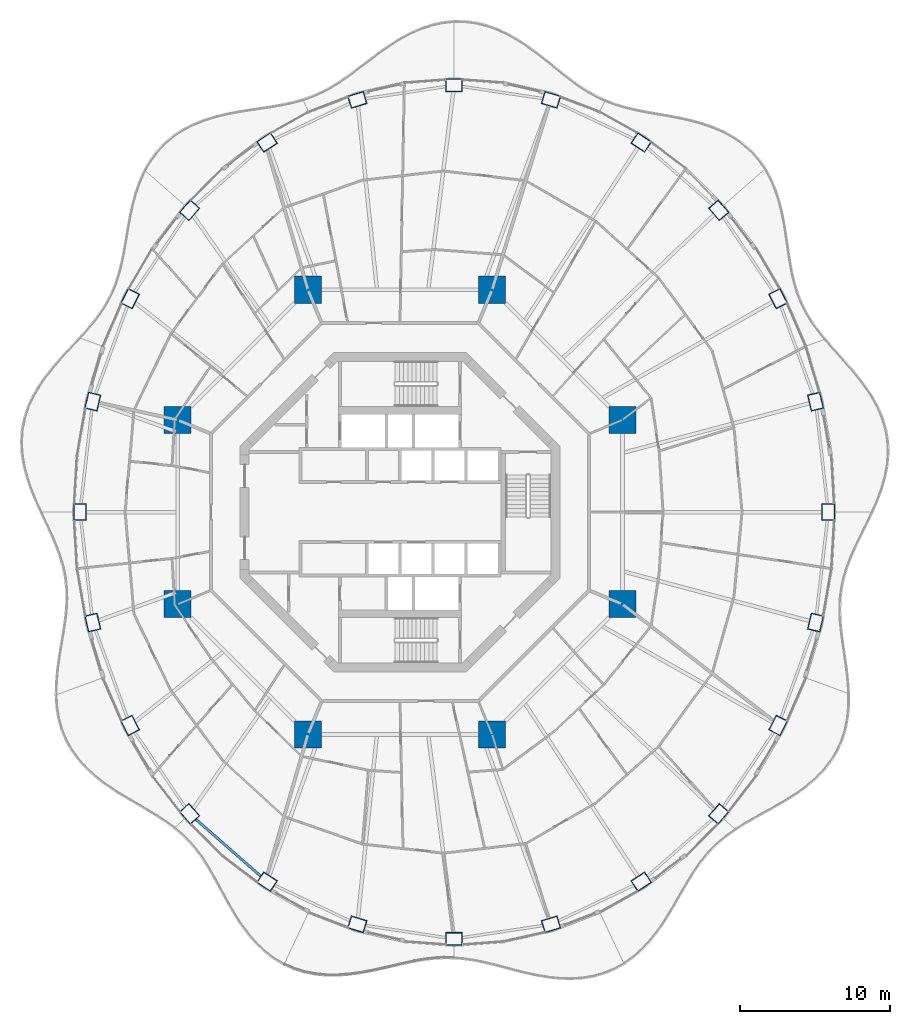
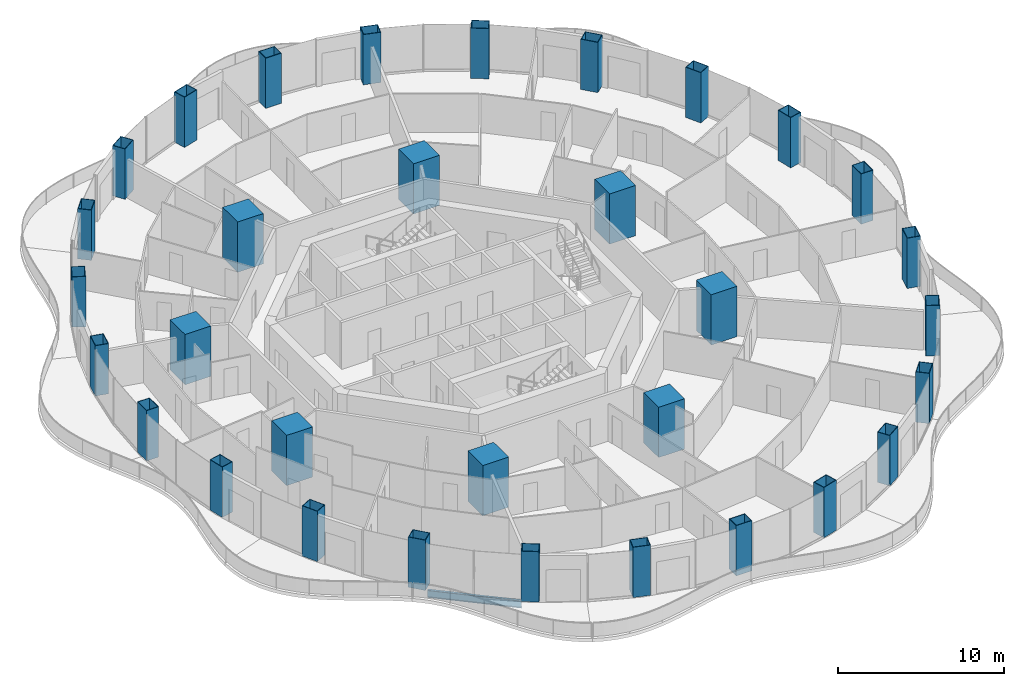
# One storey, part 1 of 19: 32 columns, 1 beam.
"""IFC4 building model written with IfcOpenShell, lengths in metres."""

from ifc_helpers import new_model, si_unit, direction, frame, origin, origin_2d, place, context, subcontext, project, spatial, rectangle, hollow_rectangle, i_section, extrude, material, material_profile, profile_set, type_object, element, save


model = new_model("IFC4")

# Units and contexts
model_context = context("Model", 3, precision=1e-05, world=origin(), true_north=direction((0.0, 1.0)))
body_context = subcontext(model_context, "Body", "Model", "MODEL_VIEW")
ifc_project = project(units=[si_unit("LENGTHUNIT", "METRE"), si_unit("AREAUNIT", "SQUARE_METRE"), si_unit("VOLUMEUNIT", "CUBIC_METRE"), si_unit("PLANEANGLEUNIT", "RADIAN"), si_unit("MASSUNIT", "GRAM", prefix="KILO")], contexts=[model_context])

# Site, building, storey
site_placement = place(None, origin())
site = spatial("IfcSite", under=ifc_project, at=site_placement, CompositionType="ELEMENT")
building_placement = place(site_placement, origin())
building = spatial("IfcBuilding", under=site, at=building_placement, Name="Nagisa Residences", CompositionType="ELEMENT")
storey_placement = place(building_placement, frame((0.0, 0.0, 188.10009765625)))
storey = spatial("IfcBuildingStorey", under=building, at=storey_placement, Name="L47", CompositionType="ELEMENT", Elevation=188.10009765625)

# Columns
ifc_material_1 = material(Name="Concrete C80", Category="concrete")
ifc_material_profile_1 = material_profile(ifc_material_1, rectangle(XDim=1.800048828125, YDim=1.800048828125, at=origin_2d()), Name="C80 1800x1800")
ifc_profile_set_1 = profile_set([ifc_material_profile_1], Name="Concrete C80")
column_type_1 = type_object("IfcColumnType", Name="Inner megacolumn C80 1800x1800", PredefinedType="COLUMN", material=ifc_profile_set_1)
for number, where, z_axis, x_axis, name in (
    (1, (14.781982421875, 6.123046875, 0.0), (0.0, 0.0, 1.0), (1.0, 0.0, 0.0), "col:L47:i1"),
    (2, (6.123046875, 14.781982421875, 0.0), (0.0, 0.0, 1.0), (1.0, 0.0, 0.0), "col:L47:i2"),
    (3, (-6.123046875, 14.781982421875, 0.0), (0.0, 0.0, 1.0), (1.0, 0.0, 0.0), "col:L47:i3"),
    (4, (-14.781982421875, 6.123046875, 0.0), (0.0, 0.0, 1.0), (1.0, 0.0, 0.0), "col:L47:i4"),
    (5, (-14.781982421875, -6.123046875, 0.0), (0.0, 0.0, 1.0), (1.0, 0.0, 0.0), "col:L47:i5"),
    (6, (-6.123046875, -14.781982421875, 0.0), (0.0, 0.0, 1.0), (1.0, 0.0, 0.0), "col:L47:i6"),
    (7, (6.123046875, -14.781982421875, 0.0), (0.0, 0.0, 1.0), (1.0, 0.0, 0.0), "col:L47:i7"),
    (8, (14.781982421875, -6.123046875, 0.0), (0.0, 0.0, 1.0), (1.0, 0.0, 0.0), "col:L47:i8"),
):
    element("IfcColumn", number, at=place(storey_placement, frame(where, z_axis=z_axis, x_axis=x_axis)), inside=storey, type_object=column_type_1, Name=name, PredefinedType="COLUMN", context=body_context, shape_type="SweptSolid", body=[
        extrude(rectangle(XDim=1.800048828125, YDim=1.800048828125, at=origin_2d()), origin(), (0.0, 0.0, 1.0), 3.699951171875),
    ])
ifc_material_2 = material(Name="Steel ASTM A572 Gr 50", Category="steel")
ifc_material_profile_2 = material_profile(ifc_material_2, hollow_rectangle(XDim=1.10009765625, YDim=0.85009765625, WallThickness=0.035888671875, at=origin_2d()), Name="BX 1100x850x36")
ifc_profile_set_2 = profile_set([ifc_material_profile_2], Name="Steel ASTM A572 Gr 50")
column_type_2 = type_object("IfcColumnType", Name="Perimeter column BX 1100x850x36", PredefinedType="COLUMN", material=ifc_profile_set_2)
for number, where, z_axis, x_axis, name in (
    (9, (28.47509765625, 0.0, 0.0), (0.0, 0.0, 1.0), (0.0, 1.0, 0.0), "col:L47:p00"),
    (10, (27.62744140625, 7.343994140625, 0.0), (0.0, 0.0, 1.0), (-0.229202013103, 0.973378876486, 0.0), "col:L47:p01"),
    (11, (25.142333984375, 14.1875, 0.0), (0.0, 0.0, 1.0), (-0.452462697578, 0.891783329795, 0.0), "col:L47:p02"),
    (12, (21.189208984375, 20.064208984375, 0.0), (0.0, 0.0, 1.0), (-0.660114607735, 0.751164898445, 0.0), "col:L47:p03"),
    (13, (16.03759765625, 24.573486328125, 0.0), (0.0, 0.0, 1.0), (-0.835766105673, 0.54908561865, 0.0), "col:L47:p04"),
    (14, (10.0380859375, 27.408203125, 0.0), (0.0, 0.0, 1.0), (-0.956524583408, 0.291651712384, 0.0), "col:L47:p05"),
    (15, (3.60009765625, 28.375, 0.0), (0.0, 0.0, 1.0), (-1.0, 0.0, 0.0), "col:L47:p06"),
    (16, (-2.838134765625, 27.408203125, 0.0), (0.0, 0.0, 1.0), (-0.956524583408, -0.291651712384, 0.0), "col:L47:p07"),
    (17, (-8.83740234375, 24.573486328125, 0.0), (0.0, 0.0, 1.0), (-0.835766105673, -0.54908561865, 0.0), "col:L47:p08"),
    (18, (-13.9892578125, 20.064208984375, 0.0), (0.0, 0.0, 1.0), (-0.660114607735, -0.751164898445, 0.0), "col:L47:p09"),
    (19, (-17.9423828125, 14.1875, 0.0), (0.0, 0.0, 1.0), (-0.452462697578, -0.891783329795, 0.0), "col:L47:p10"),
    (20, (-20.427490234375, 7.343994140625, 0.0), (0.0, 0.0, 1.0), (-0.229202013103, -0.973378876486, 0.0), "col:L47:p11"),
    (21, (-21.27490234375, 0.0, 0.0), (0.0, 0.0, 1.0), (0.0, -1.0, 0.0), "col:L47:p12"),
    (22, (-20.427490234375, -7.343994140625, 0.0), (0.0, 0.0, 1.0), (0.229202013103, -0.973378876486, 0.0), "col:L47:p13"),
    (23, (-17.9423828125, -14.1875, 0.0), (0.0, 0.0, 1.0), (0.452462697578, -0.891783329795, 0.0), "col:L47:p14"),
    (24, (-13.9892578125, -20.064208984375, 0.0), (0.0, 0.0, 1.0), (0.660114607735, -0.751164898445, 0.0), "col:L47:p15"),
    (25, (-8.83740234375, -24.573486328125, 0.0), (0.0, 0.0, 1.0), (0.835766105673, -0.54908561865, 0.0), "col:L47:p16"),
    (26, (-2.838134765625, -27.408203125, 0.0), (0.0, 0.0, 1.0), (0.956524583408, -0.291651712384, 0.0), "col:L47:p17"),
    (27, (3.60009765625, -28.375, 0.0), (0.0, 0.0, 1.0), (1.0, 0.0, 0.0), "col:L47:p18"),
    (28, (10.0380859375, -27.408203125, 0.0), (0.0, 0.0, 1.0), (0.956524583408, 0.291651712384, 0.0), "col:L47:p19"),
    (29, (16.03759765625, -24.573486328125, 0.0), (0.0, 0.0, 1.0), (0.835766105673, 0.54908561865, 0.0), "col:L47:p20"),
    (30, (21.189208984375, -20.064208984375, 0.0), (0.0, 0.0, 1.0), (0.660114607735, 0.751164898445, 0.0), "col:L47:p21"),
    (31, (25.142333984375, -14.1875, 0.0), (0.0, 0.0, 1.0), (0.452462697578, 0.891783329795, 0.0), "col:L47:p22"),
    (32, (27.62744140625, -7.343994140625, 0.0), (0.0, 0.0, 1.0), (0.229202013103, 0.973378876486, 0.0), "col:L47:p23"),
):
    element("IfcColumn", number, at=place(storey_placement, frame(where, z_axis=z_axis, x_axis=x_axis)), inside=storey, type_object=column_type_2, Name=name, PredefinedType="COLUMN", context=body_context, shape_type="SweptSolid", body=[
        extrude(hollow_rectangle(XDim=1.10009765625, YDim=0.85009765625, WallThickness=0.035888671875, at=origin_2d()), origin(), (0.0, 0.0, 1.0), 3.699951171875),
    ])

# Beam
ifc_material_3 = material(Name="Steel ASTM A572 Gr 50", Category="steel")
ifc_material_profile_3 = material_profile(ifc_material_3, i_section(OverallWidth=0.166015625, OverallDepth=0.534912109375, WebThickness=0.01025390625, FlangeThickness=0.0166015625, at=origin_2d()), Name="W530x85")
ifc_profile_set_3 = profile_set([ifc_material_profile_3], Name="Steel ASTM A572 Gr 50")
beam_type = type_object("IfcBeamType", Name="Perimeter ring beam W530x85", PredefinedType="BEAM", material=ifc_profile_set_3)
beam_placement = place(storey_placement, frame((-13.5869140625, -20.416259765625, -0.527587890625), z_axis=(0.752461486776, -0.658636250838, 0.0), x_axis=(0.658636250838, 0.752461486776, 0.0)))
element("IfcBeam", 33, at=beam_placement, inside=storey, type_object=beam_type, Name="beam:L47:pb16", PredefinedType="BEAM", context=body_context, shape_type="SweptSolid", body=[
    extrude(i_section(OverallWidth=0.166015625, OverallDepth=0.534912109375, WebThickness=0.01025390625, FlangeThickness=0.0166015625, at=origin_2d()), origin(), (0.0, 0.0, 1.0), 5.776611328125),
])

save(model, "model.ifc")
